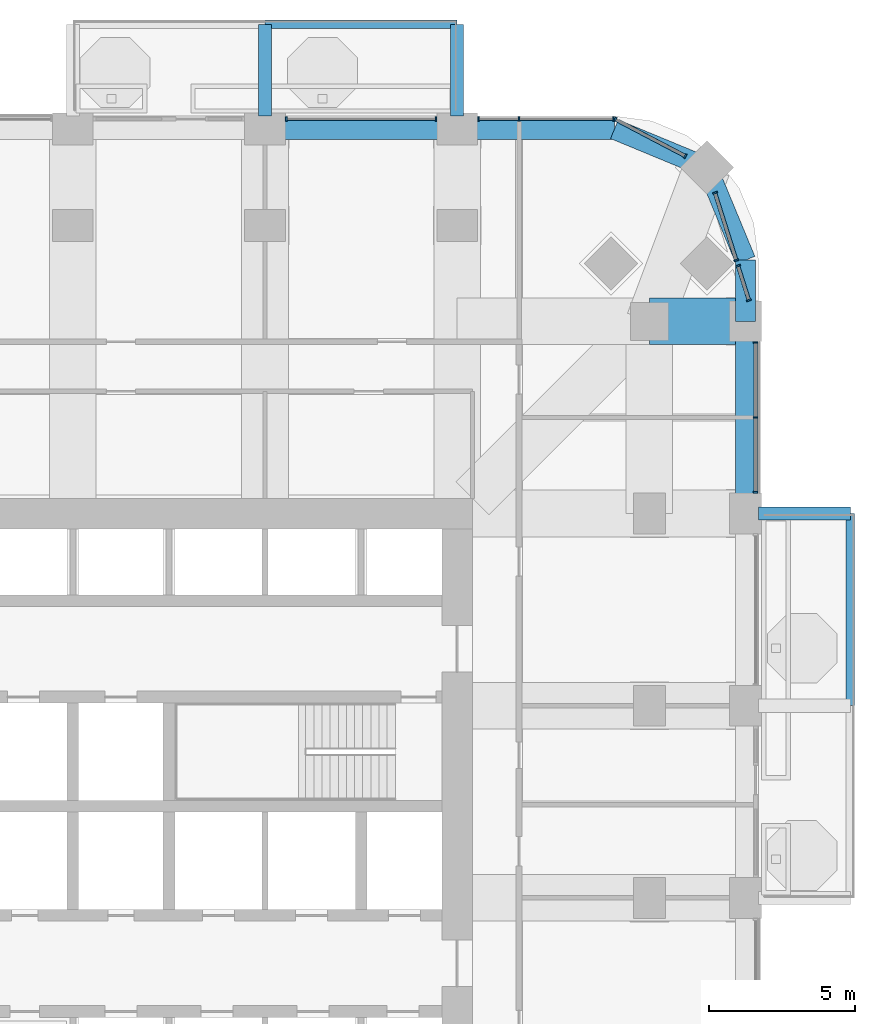
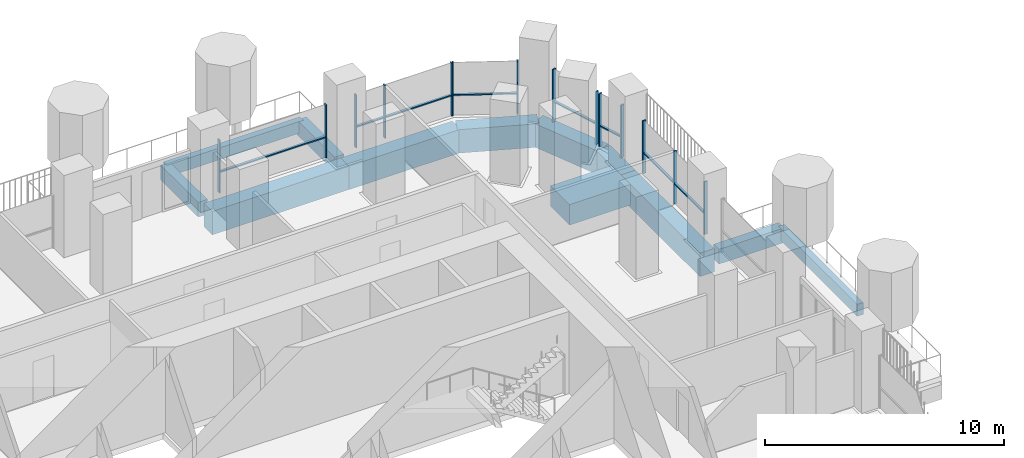
# One storey, part 8 of 23: 22 members, 12 beams, 6 elements without a shape of their own.
"""IFC4 building model written with IfcOpenShell, lengths in metres."""

from ifc_helpers import new_model, si_unit, direction, frame, origin, origin_2d, place, context, subcontext, project, spatial, rectangle, extrude, material, material_profile, profile_set, type_object, element, aggregate, save


model = new_model("IFC4")

# Units and contexts
model_context = context("Model", 3, precision=1e-05, world=origin(), true_north=direction((0.0, 1.0)))
body_context = subcontext(model_context, "Body", "Model", "MODEL_VIEW")
ifc_project = project(units=[si_unit("LENGTHUNIT", "METRE"), si_unit("AREAUNIT", "SQUARE_METRE"), si_unit("VOLUMEUNIT", "CUBIC_METRE"), si_unit("PLANEANGLEUNIT", "RADIAN"), si_unit("MASSUNIT", "GRAM", prefix="KILO")], contexts=[model_context])

# Site, building, storey
site_placement = place(None, origin())
site = spatial("IfcSite", under=ifc_project, at=site_placement, CompositionType="ELEMENT")
building_placement = place(site_placement, origin())
building = spatial("IfcBuilding", under=site, at=building_placement, Name="Cobogo Forest Laboratory Tower", CompositionType="ELEMENT")
storey_placement = place(building_placement, frame((0.0, 0.0, 128.39990234375)))
storey = spatial("IfcBuildingStorey", under=building, at=storey_placement, Name="L29", CompositionType="ELEMENT", Elevation=128.39990234375)

# Beams
ifc_material_1 = material(Name="Concrete HA-40 (C40/50)", Category="concrete")
ifc_material_profile_1 = material_profile(ifc_material_1, rectangle(XDim=0.449951171875, YDim=0.75, at=origin_2d()), Name="RC 450x750")
ifc_profile_set_1 = profile_set([ifc_material_profile_1], Name="Concrete HA-40 (C40/50)")
beam_type_1 = type_object("IfcBeamType", Name="Balcony cantilever beam 450x750", PredefinedType="BEAM", material=ifc_profile_set_1)
for number, where, z_axis, x_axis, name in (
    (1, (49.949951171875, 33.0, -0.625), (1.0, 0.0, 0.0), (0.0, 1.0, 0.0), "CB1 BAL-E1-C3 L29"),
    (2, (33.0, 46.64990234375, -0.625), (0.0, 1.0, 0.0), (-1.0, 0.0, 0.0), "CB1 BAL-N1-C2 L29"),
    (3, (39.60009765625, 46.64990234375, -0.625), (0.0, 1.0, 0.0), (-1.0, 0.0, 0.0), "CB1 BAL-N1-C3 L29"),
):
    element("IfcBeam", number, at=place(storey_placement, frame(where, z_axis=z_axis, x_axis=x_axis)), inside=storey, type_object=beam_type_1, Name=name, PredefinedType="BEAM", context=body_context, shape_type="SweptSolid", body=[
        extrude(rectangle(XDim=0.449951171875, YDim=0.75, at=origin_2d()), origin(), (0.0, 0.0, 1.0), 3.150146484375),
    ])
ifc_material_profile_2 = material_profile(ifc_material_1, rectangle(XDim=0.300048828125, YDim=0.60009765625, at=origin_2d()), Name="RC 300x600")
ifc_profile_set_2 = profile_set([ifc_material_profile_2], Name="Concrete HA-40 (C40/50)")
beam_type_2 = type_object("IfcBeamType", Name="Balcony edge beam 300x600", PredefinedType="BEAM", material=ifc_profile_set_2)
for number, where, z_axis, x_axis, name in (
    (4, (53.10009765625, 26.39990234375, -0.5498046875), (0.0, 1.0, 0.0), (-1.0, 0.0, 0.0), "BB1 BAL-E1-T2 L29"),
    (5, (33.0, 49.800048828125, -0.5498046875), (1.0, 0.0, 0.0), (0.0, 1.0, 0.0), "BB1 BAL-N1-T2 L29"),
):
    element("IfcBeam", number, at=place(storey_placement, frame(where, z_axis=z_axis, x_axis=x_axis)), inside=storey, type_object=beam_type_2, Name=name, PredefinedType="BEAM", context=body_context, shape_type="SweptSolid", body=[
        extrude(rectangle(XDim=0.300048828125, YDim=0.60009765625, at=origin_2d()), origin(), (0.0, 0.0, 1.0), 6.60009765625),
    ])
ifc_material_2 = material(Name="Concrete HA-50 (C50/60)", Category="concrete")
ifc_material_profile_3 = material_profile(ifc_material_2, rectangle(XDim=1.60009765625, YDim=1.050048828125, at=origin_2d()), Name="RC 1600x1050")
ifc_profile_set_3 = profile_set([ifc_material_profile_3], Name="Concrete HA-50 (C50/60)")
beam_type_3 = type_object("IfcBeamType", Name="Laboratory floor wide beam 1600x1050", PredefinedType="BEAM", material=ifc_profile_set_3)
beam_1_placement = place(storey_placement, frame((49.5, 39.60009765625, -0.824951171875), z_axis=(-1.0, 0.0, 0.0), x_axis=(0.0, -1.0, 0.0)))
element("IfcBeam", 6, at=beam_1_placement, inside=storey, type_object=beam_type_3, Name="RB8 G-NE-YF L29", PredefinedType="BEAM", context=body_context, shape_type="SweptSolid", body=[
    extrude(rectangle(XDim=1.60009765625, YDim=1.050048828125, at=origin_2d()), origin(), (0.0, 0.0, 1.0), 3.300048828125),
])

# Curtain wall, members
ifc_material_3 = material(Name="Aluminium curtain wall", Category="aluminium")
curtain_wall_type = type_object("IfcCurtainWallType", Name="CW-1 unitised curtain wall, clear glazing, laboratory floors zones A and B", PredefinedType="USERDEFINED", material=ifc_material_3)
curtain_wall_1_placement = place(storey_placement, origin())
curtain_wall_1 = element("IfcCurtainWall", 7, at=curtain_wall_1_placement, inside=storey, type_object=curtain_wall_type, Name="Curtain wall 14 L29", ObjectType="UNITISED CURTAIN WALL", PredefinedType="USERDEFINED")
ifc_material_4 = material(Name="Aluminium mullion", Category="aluminium")
ifc_material_profile_4 = material_profile(ifc_material_4, rectangle(XDim=0.06005859375, YDim=0.159912109375, at=origin_2d()), Name="AL 60x160")
ifc_profile_set_4 = profile_set([ifc_material_profile_4], Name="Aluminium mullion")
member_type_1 = type_object("IfcMemberType", Name="MU-1 aluminium mullion 60x160", PredefinedType="MULLION", material=ifc_profile_set_4)
member_1_placement = place(storey_placement, frame((49.85009765625, 33.72998046875, 0.0), z_axis=(0.0, 0.0, 1.0), x_axis=(0.0, 1.0, 0.0)))
member_1 = element("IfcMember", 8, at=member_1_placement, type_object=member_type_1, Name="CW-1 mullion 1", PredefinedType="MULLION", context=body_context, shape_type="SweptSolid", body=[
    extrude(rectangle(XDim=0.06005859375, YDim=0.159912109375, at=origin_2d()), origin(), (0.0, 0.0, 1.0), 2.7001953125),
])
member_2_placement = place(storey_placement, frame((49.85009765625, 36.300048828125, 0.0), z_axis=(0.0, 0.0, 1.0), x_axis=(0.0, 1.0, 0.0)))
member_2 = element("IfcMember", 9, at=member_2_placement, type_object=member_type_1, Name="CW-1 mullion 2", PredefinedType="MULLION", context=body_context, shape_type="SweptSolid", body=[
    extrude(rectangle(XDim=0.06005859375, YDim=0.159912109375, at=origin_2d()), origin(), (0.0, 0.0, 1.0), 2.7001953125),
])
member_3_placement = place(storey_placement, frame((49.85009765625, 38.8701171875, 0.0), z_axis=(0.0, 0.0, 1.0), x_axis=(0.0, 1.0, 0.0)))
member_3 = element("IfcMember", 10, at=member_3_placement, type_object=member_type_1, Name="CW-1 mullion 3", PredefinedType="MULLION", context=body_context, shape_type="SweptSolid", body=[
    extrude(rectangle(XDim=0.06005859375, YDim=0.159912109375, at=origin_2d()), origin(), (0.0, 0.0, 1.0), 2.7001953125),
])

curtain_wall_2_placement = place(storey_placement, origin())
curtain_wall_2 = element("IfcCurtainWall", 11, at=curtain_wall_2_placement, inside=storey, type_object=curtain_wall_type, Name="Curtain wall 15 L29", ObjectType="UNITISED CURTAIN WALL", PredefinedType="USERDEFINED")
member_4_placement = place(storey_placement, frame((49.619873046875, 40.32861328125, 0.0), z_axis=(0.0, 0.0, 1.0), x_axis=(-0.301135356805, 0.953581405483, 0.0)))
member_4 = element("IfcMember", 12, at=member_4_placement, type_object=member_type_1, Name="CW-1 mullion 1", PredefinedType="MULLION", context=body_context, shape_type="SweptSolid", body=[
    extrude(rectangle(XDim=0.06005859375, YDim=0.159912109375, at=origin_2d()), origin(), (0.0, 0.0, 1.0), 2.7001953125),
])
member_5_placement = place(storey_placement, frame((49.247802734375, 41.507080078125, 0.0), z_axis=(0.0, 0.0, 1.0), x_axis=(-0.301135356805, 0.953581405483, 0.0)))
member_5 = element("IfcMember", 13, at=member_5_placement, type_object=member_type_1, Name="CW-1 mullion 2", PredefinedType="MULLION", context=body_context, shape_type="SweptSolid", body=[
    extrude(rectangle(XDim=0.06005859375, YDim=0.159912109375, at=origin_2d()), origin(), (0.0, 0.0, 1.0), 2.7001953125),
])

curtain_wall_3_placement = place(storey_placement, origin())
curtain_wall_3 = element("IfcCurtainWall", 14, at=curtain_wall_3_placement, inside=storey, type_object=curtain_wall_type, Name="Curtain wall 16 L29", ObjectType="UNITISED CURTAIN WALL", PredefinedType="USERDEFINED")
member_6_placement = place(storey_placement, frame((49.18701171875, 41.69970703125, 0.0), z_axis=(0.0, 0.0, 1.0), x_axis=(-0.301135291996, 0.953581425949, 0.0)))
member_6 = element("IfcMember", 15, at=member_6_placement, type_object=member_type_1, Name="CW-1 mullion 1", PredefinedType="MULLION", context=body_context, shape_type="SweptSolid", body=[
    extrude(rectangle(XDim=0.06005859375, YDim=0.159912109375, at=origin_2d()), origin(), (0.0, 0.0, 1.0), 2.7001953125),
])
member_7_placement = place(storey_placement, frame((48.455810546875, 44.01513671875, 0.0), z_axis=(0.0, 0.0, 1.0), x_axis=(-0.301135291996, 0.953581425949, 0.0)))
member_7 = element("IfcMember", 16, at=member_7_placement, type_object=member_type_1, Name="CW-1 mullion 2", PredefinedType="MULLION", context=body_context, shape_type="SweptSolid", body=[
    extrude(rectangle(XDim=0.06005859375, YDim=0.159912109375, at=origin_2d()), origin(), (0.0, 0.0, 1.0), 2.7001953125),
])

curtain_wall_4_placement = place(storey_placement, origin())
curtain_wall_4 = element("IfcCurtainWall", 17, at=curtain_wall_4_placement, inside=storey, type_object=curtain_wall_type, Name="Curtain wall 17 L29", ObjectType="UNITISED CURTAIN WALL", PredefinedType="USERDEFINED")
member_8_placement = place(storey_placement, frame((47.431640625, 45.275390625, 0.0), z_axis=(0.0, 0.0, 1.0), x_axis=(-0.885686547075, 0.464283685186, 0.0)))
member_8 = element("IfcMember", 18, at=member_8_placement, type_object=member_type_1, Name="CW-1 mullion 1", PredefinedType="MULLION", context=body_context, shape_type="SweptSolid", body=[
    extrude(rectangle(XDim=0.06005859375, YDim=0.159912109375, at=origin_2d()), origin(), (0.0, 0.0, 1.0), 2.7001953125),
])
member_9_placement = place(storey_placement, frame((45.026611328125, 46.5361328125, 0.0), z_axis=(0.0, 0.0, 1.0), x_axis=(-0.885686547075, 0.464283685186, 0.0)))
member_9 = element("IfcMember", 19, at=member_9_placement, type_object=member_type_1, Name="CW-1 mullion 2", PredefinedType="MULLION", context=body_context, shape_type="SweptSolid", body=[
    extrude(rectangle(XDim=0.06005859375, YDim=0.159912109375, at=origin_2d()), origin(), (0.0, 0.0, 1.0), 2.7001953125),
])

curtain_wall_5_placement = place(storey_placement, origin())
curtain_wall_5 = element("IfcCurtainWall", 20, at=curtain_wall_5_placement, inside=storey, type_object=curtain_wall_type, Name="Curtain wall 18 L29", ObjectType="UNITISED CURTAIN WALL", PredefinedType="USERDEFINED")
member_10_placement = place(storey_placement, frame((44.969970703125, 46.550048828125, 0.0), z_axis=(0.0, 0.0, 1.0), x_axis=(-1.0, 0.0, 0.0)))
member_10 = element("IfcMember", 21, at=member_10_placement, type_object=member_type_1, Name="CW-1 mullion 1", PredefinedType="MULLION", context=body_context, shape_type="SweptSolid", body=[
    extrude(rectangle(XDim=0.06005859375, YDim=0.159912109375, at=origin_2d()), origin(), (0.0, 0.0, 1.0), 2.7001953125),
])
member_11_placement = place(storey_placement, frame((41.72509765625, 46.550048828125, 0.0), z_axis=(0.0, 0.0, 1.0), x_axis=(-1.0, 0.0, 0.0)))
member_11 = element("IfcMember", 22, at=member_11_placement, type_object=member_type_1, Name="CW-1 mullion 2", PredefinedType="MULLION", context=body_context, shape_type="SweptSolid", body=[
    extrude(rectangle(XDim=0.06005859375, YDim=0.159912109375, at=origin_2d()), origin(), (0.0, 0.0, 1.0), 2.7001953125),
])
member_12_placement = place(storey_placement, frame((40.330078125, 46.550048828125, 0.0), z_axis=(0.0, 0.0, 1.0), x_axis=(-1.0, 0.0, 0.0)))
member_12 = element("IfcMember", 23, at=member_12_placement, type_object=member_type_1, Name="CW-1 mullion 3", PredefinedType="MULLION", context=body_context, shape_type="SweptSolid", body=[
    extrude(rectangle(XDim=0.06005859375, YDim=0.159912109375, at=origin_2d()), origin(), (0.0, 0.0, 1.0), 2.7001953125),
])

curtain_wall_6_placement = place(storey_placement, origin())
curtain_wall_6 = element("IfcCurtainWall", 24, at=curtain_wall_6_placement, inside=storey, type_object=curtain_wall_type, Name="Curtain wall 19 L29", ObjectType="UNITISED CURTAIN WALL", PredefinedType="USERDEFINED")
member_13_placement = place(storey_placement, frame((38.8701171875, 46.550048828125, 0.0), z_axis=(0.0, 0.0, 1.0), x_axis=(-1.0, 0.0, 0.0)))
member_13 = element("IfcMember", 25, at=member_13_placement, type_object=member_type_1, Name="CW-1 mullion 1", PredefinedType="MULLION", context=body_context, shape_type="SweptSolid", body=[
    extrude(rectangle(XDim=0.06005859375, YDim=0.159912109375, at=origin_2d()), origin(), (0.0, 0.0, 1.0), 2.7001953125),
])
member_14_placement = place(storey_placement, frame((33.72998046875, 46.550048828125, 0.0), z_axis=(0.0, 0.0, 1.0), x_axis=(-1.0, 0.0, 0.0)))
member_14 = element("IfcMember", 26, at=member_14_placement, type_object=member_type_1, Name="CW-1 mullion 2", PredefinedType="MULLION", context=body_context, shape_type="SweptSolid", body=[
    extrude(rectangle(XDim=0.06005859375, YDim=0.159912109375, at=origin_2d()), origin(), (0.0, 0.0, 1.0), 2.7001953125),
])

# Beams
ifc_material_profile_5 = material_profile(ifc_material_1, rectangle(XDim=0.699951171875, YDim=1.199951171875, at=origin_2d()), Name="RC 700x1200")
ifc_profile_set_5 = profile_set([ifc_material_profile_5], Name="Concrete HA-40 (C40/50)")
beam_type_4 = type_object("IfcBeamType", Name="Perimeter edge beam 700x1200", PredefinedType="BEAM", material=ifc_profile_set_5)
for number, where, z_axis, x_axis, name in (
    (27, (49.5, 33.0, -0.89990234375), (0.0, 1.0, 0.0), (-1.0, 0.0, 0.0), "EB1 E-E5 L29"),
    (28, (33.0, 46.199951171875, -0.89990234375), (1.0, 0.0, 0.0), (0.0, 1.0, 0.0), "EB1 E-N4 L29"),
):
    element("IfcBeam", number, at=place(storey_placement, frame(where, z_axis=z_axis, x_axis=x_axis)), inside=storey, type_object=beam_type_4, Name=name, PredefinedType="BEAM", context=body_context, shape_type="SweptSolid", body=[
        extrude(rectangle(XDim=0.699951171875, YDim=1.199951171875, at=origin_2d()), origin(), (0.0, 0.0, 1.0), 6.60009765625),
    ])
beam_2_placement = place(storey_placement, frame((49.5, 39.60009765625, -0.89990234375), z_axis=(0.0, 1.0, 0.0), x_axis=(-1.0, 0.0, 0.0)))
element("IfcBeam", 29, at=beam_2_placement, inside=storey, type_object=beam_type_4, Name="EB1 E-NEE1 L29", PredefinedType="BEAM", context=body_context, shape_type="SweptSolid", body=[
    extrude(rectangle(XDim=0.699951171875, YDim=1.199951171875, at=origin_2d()), origin(), (0.0, 0.0, 1.0), 2.099853515625),
])
beam_3_placement = place(storey_placement, frame((49.5, 41.699951171875, -0.89990234375), z_axis=(-0.382691928466, 0.923876013265, 0.0), x_axis=(-0.923876013265, -0.382691928466, 0.0)))
element("IfcBeam", 30, at=beam_3_placement, inside=storey, type_object=beam_type_4, Name="EB1 E-NEE2 L29", PredefinedType="BEAM", context=body_context, shape_type="SweptSolid", body=[
    extrude(rectangle(XDim=0.699951171875, YDim=1.199951171875, at=origin_2d()), origin(), (0.0, 0.0, 1.0), 3.4443359375),
])
beam_4_placement = place(storey_placement, frame((39.60009765625, 46.199951171875, -0.89990234375), z_axis=(1.0, 0.0, 0.0), x_axis=(0.0, 1.0, 0.0)))
element("IfcBeam", 31, at=beam_4_placement, inside=storey, type_object=beam_type_4, Name="EB1 E-NEN1 L29", PredefinedType="BEAM", context=body_context, shape_type="SweptSolid", body=[
    extrude(rectangle(XDim=0.699951171875, YDim=1.199951171875, at=origin_2d()), origin(), (0.0, 0.0, 1.0), 5.39990234375),
])
beam_5_placement = place(storey_placement, frame((45.0, 46.199951171875, -0.89990234375), z_axis=(0.923890694089, -0.382656484822, 0.0), x_axis=(0.382656484822, 0.923890694089, 0.0)))
element("IfcBeam", 32, at=beam_5_placement, inside=storey, type_object=beam_type_4, Name="EB1 E-NEN2 L29", PredefinedType="BEAM", context=body_context, shape_type="SweptSolid", body=[
    extrude(rectangle(XDim=0.699951171875, YDim=1.199951171875, at=origin_2d()), origin(), (0.0, 0.0, 1.0), 3.444091796875),
])

# Member
ifc_material_5 = material(Name="Aluminium transom", Category="aluminium")
ifc_material_profile_6 = material_profile(ifc_material_5, rectangle(XDim=0.1201171875, YDim=0.06005859375, at=origin_2d()), Name="AL 60x120")
ifc_profile_set_6 = profile_set([ifc_material_profile_6], Name="Aluminium transom")
member_type_2 = type_object("IfcMemberType", Name="TR-1 aluminium transom 60x120", PredefinedType="USERDEFINED", material=ifc_profile_set_6)
member_15_placement = place(storey_placement, frame((49.85009765625, 33.760009765625, 1.050048828125), z_axis=(0.0, 1.0, 0.0), x_axis=(-1.0, 0.0, 0.0)))
member_15 = element("IfcMember", 33, at=member_15_placement, type_object=member_type_2, Name="CW-1 transom 1.1", ObjectType="TRANSOM", PredefinedType="USERDEFINED", context=body_context, shape_type="SweptSolid", body=[
    extrude(rectangle(XDim=0.1201171875, YDim=0.06005859375, at=origin_2d()), origin(), (0.0, 0.0, 1.0), 2.510009765625),
])

member_16_placement = place(storey_placement, frame((49.85009765625, 36.330078125, 1.050048828125), z_axis=(0.0, 1.0, 0.0), x_axis=(-1.0, 0.0, 0.0)))
member_16 = element("IfcMember", 34, at=member_16_placement, type_object=member_type_2, Name="CW-1 transom 2.1", ObjectType="TRANSOM", PredefinedType="USERDEFINED", context=body_context, shape_type="SweptSolid", body=[
    extrude(rectangle(XDim=0.1201171875, YDim=0.06005859375, at=origin_2d()), origin(), (0.0, 0.0, 1.0), 2.510009765625),
])

aggregate(curtain_wall_1, [member_1, member_2, member_3, member_15, member_16])

member_17_placement = place(storey_placement, frame((49.61083984375, 40.357177734375, 1.050048828125), z_axis=(-0.301051874343, 0.953607764731, 0.0), x_axis=(-0.953607764731, -0.301051874343, 0.0)))
member_17 = element("IfcMember", 35, at=member_17_placement, type_object=member_type_2, Name="CW-1 transom 1.1", ObjectType="TRANSOM", PredefinedType="USERDEFINED", context=body_context, shape_type="SweptSolid", body=[
    extrude(rectangle(XDim=0.1201171875, YDim=0.06005859375, at=origin_2d()), origin(), (0.0, 0.0, 1.0), 1.17578125),
])

aggregate(curtain_wall_2, [member_4, member_5, member_17])

member_18_placement = place(storey_placement, frame((49.177978515625, 41.728271484375, 1.050048828125), z_axis=(-0.301156039198, 0.953574873859, 0.0), x_axis=(-0.953574873859, -0.301156039198, 0.0)))
member_18 = element("IfcMember", 36, at=member_18_placement, type_object=member_type_2, Name="CW-1 transom 1.1", ObjectType="TRANSOM", PredefinedType="USERDEFINED", context=body_context, shape_type="SweptSolid", body=[
    extrude(rectangle(XDim=0.1201171875, YDim=0.06005859375, at=origin_2d()), origin(), (0.0, 0.0, 1.0), 2.367919921875),
])

aggregate(curtain_wall_3, [member_6, member_7, member_18])

member_19_placement = place(storey_placement, frame((47.405029296875, 45.289306640625, 1.050048828125), z_axis=(-0.885674922116, 0.464305860758, 0.0), x_axis=(-0.464305860758, -0.885674922116, 0.0)))
member_19 = element("IfcMember", 37, at=member_19_placement, type_object=member_type_2, Name="CW-1 transom 1.1", ObjectType="TRANSOM", PredefinedType="USERDEFINED", context=body_context, shape_type="SweptSolid", body=[
    extrude(rectangle(XDim=0.1201171875, YDim=0.06005859375, at=origin_2d()), origin(), (0.0, 0.0, 1.0), 2.6552734375),
])

aggregate(curtain_wall_4, [member_8, member_9, member_19])

member_20_placement = place(storey_placement, frame((44.93994140625, 46.550048828125, 1.050048828125), z_axis=(-1.0, 0.0, 0.0), x_axis=(0.0, -1.0, 0.0)))
member_20 = element("IfcMember", 38, at=member_20_placement, type_object=member_type_2, Name="CW-1 transom 1.1", ObjectType="TRANSOM", PredefinedType="USERDEFINED", context=body_context, shape_type="SweptSolid", body=[
    extrude(rectangle(XDim=0.1201171875, YDim=0.06005859375, at=origin_2d()), origin(), (0.0, 0.0, 1.0), 3.18505859375),
])

member_21_placement = place(storey_placement, frame((41.695068359375, 46.550048828125, 1.050048828125), z_axis=(-1.0, 0.0, 0.0), x_axis=(0.0, -1.0, 0.0)))
member_21 = element("IfcMember", 39, at=member_21_placement, type_object=member_type_2, Name="CW-1 transom 2.1", ObjectType="TRANSOM", PredefinedType="USERDEFINED", context=body_context, shape_type="SweptSolid", body=[
    extrude(rectangle(XDim=0.1201171875, YDim=0.06005859375, at=origin_2d()), origin(), (0.0, 0.0, 1.0), 1.3349609375),
])

aggregate(curtain_wall_5, [member_10, member_11, member_12, member_20, member_21])

member_22_placement = place(storey_placement, frame((38.840087890625, 46.550048828125, 1.050048828125), z_axis=(-1.0, 0.0, 0.0), x_axis=(0.0, -1.0, 0.0)))
member_22 = element("IfcMember", 40, at=member_22_placement, type_object=member_type_2, Name="CW-1 transom 1.1", ObjectType="TRANSOM", PredefinedType="USERDEFINED", context=body_context, shape_type="SweptSolid", body=[
    extrude(rectangle(XDim=0.1201171875, YDim=0.06005859375, at=origin_2d()), origin(), (0.0, 0.0, 1.0), 5.080078125),
])

aggregate(curtain_wall_6, [member_13, member_14, member_22])

save(model, "model.ifc")
